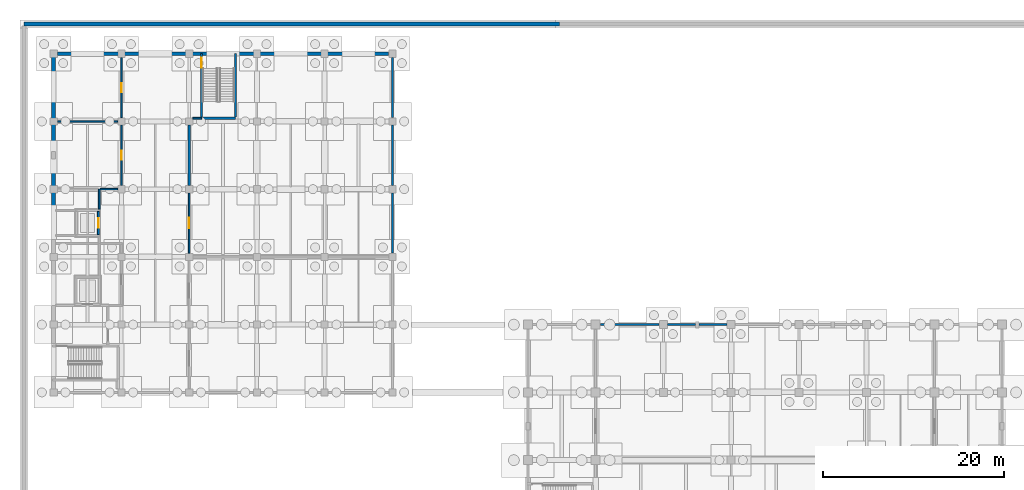
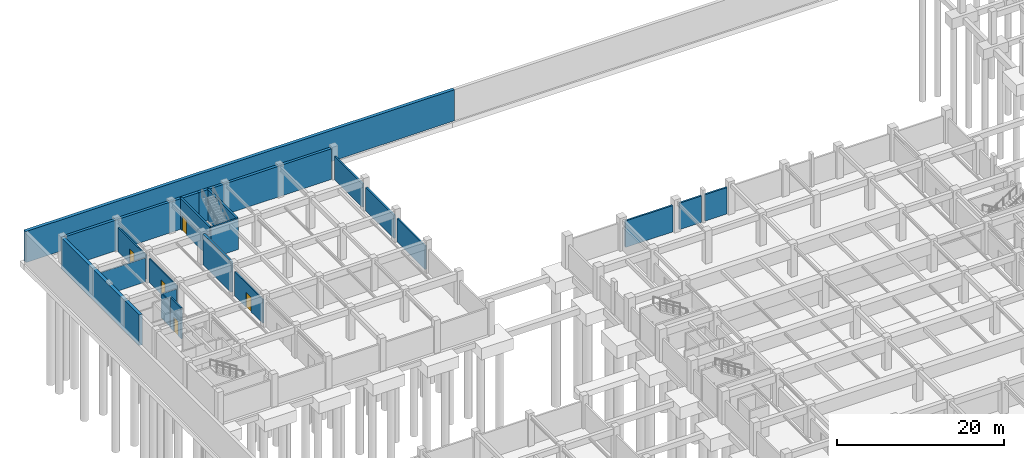
# One storey, part 26 of 38: 22 walls, 5 doors, 5 openings.
"""IFC4 building model written with IfcOpenShell, lengths in metres."""

from ifc_helpers import new_model, si_unit, direction, frame, frame_2d, origin, place, context, subcontext, project, spatial, rectangle, extrude, material, layer, layer_set, type_object, element, fill, save


model = new_model("IFC4")

# Units and contexts
model_context = context("Model", 3, precision=1e-05, world=origin(), true_north=direction((0.0, 1.0)))
body_context = subcontext(model_context, "Body", "Model", "MODEL_VIEW")
ifc_project = project(units=[si_unit("LENGTHUNIT", "METRE"), si_unit("AREAUNIT", "SQUARE_METRE"), si_unit("VOLUMEUNIT", "CUBIC_METRE"), si_unit("PLANEANGLEUNIT", "RADIAN"), si_unit("MASSUNIT", "GRAM", prefix="KILO")], contexts=[model_context])

# Site, building, storey
site_placement = place(None, origin())
site = spatial("IfcSite", under=ifc_project, at=site_placement, CompositionType="ELEMENT")
building_placement = place(site_placement, origin())
building = spatial("IfcBuilding", under=site, at=building_placement, Name="Qasida Concert Hall", CompositionType="ELEMENT")
storey_placement = place(building_placement, frame((0.0, 0.0, -4.800048828125)))
storey = spatial("IfcBuildingStorey", under=building, at=storey_placement, Name="B1", CompositionType="ELEMENT", Elevation=-4.800048828125)

# Wall, opening, door
ifc_material_1 = material(Name="Concrete C40/50", Category="concrete")
ifc_layer_1 = layer(ifc_material_1, 0.219970703125, Name="Concrete C40/50")
ifc_layer_set_1 = layer_set([ifc_layer_1], Name="Concrete C40/50")
wall_type_1 = type_object("IfcWallType", Name="WL-CW-220", PredefinedType="SOLIDWALL", material=ifc_layer_set_1)
wall_1_placement = place(storey_placement, frame((4.949951171875, 92.4599609375, 0.0), z_axis=(0.0, 0.0, 1.0), x_axis=(0.0, 1.0, 0.0)))
wall_1 = element("IfcWall", 1, at=wall_1_placement, inside=storey, type_object=wall_type_1, Name="B1 LF-07 lift shaft wall E", PredefinedType="SOLIDWALL", context=body_context, shape_type="SweptSolid", body=[
    extrude(rectangle(XDim=2.580078125, YDim=0.219970703125, at=frame_2d((1.2900390625, 0.0))), origin(), (0.0, 0.0, 1.0), 4.5),
])
opening_1_placement = place(wall_1_placement, frame((0.7900390625, 0.0, 0.0)))
opening_1 = element("IfcOpeningElement", 2, at=opening_1_placement, cuts=wall_1, Name="Opening LD-100", PredefinedType="OPENING", context=body_context, shape_type="SweptSolid", body=[
    extrude(rectangle(XDim=1.0, YDim=2.14990234375, at=frame_2d((0.5, 1.074951171875))), frame((0.0, 0.119873046875, 0.0), z_axis=(0.0, -1.0, 0.0), x_axis=(1.0, 0.0, 0.0)), (0.0, 0.0, 1.0), 0.239990234375),
])
ifc_material_2 = material(Name="Brushed bronze passenger lift landing door", Category="steel")
door_type_1 = type_object("IfcDoorType", Name="LD-100", OperationType="SLIDING_TO_LEFT", PredefinedType="DOOR", material=ifc_material_2)
door_1_placement = place(opening_1_placement, origin())
door_1 = element("IfcDoor", 3, at=door_1_placement, inside=storey, type_object=door_type_1, Name="Lift landing door LF-07 B1", OperationType="SLIDING_TO_LEFT", OverallHeight=2.14990234375, OverallWidth=1.0, PredefinedType="DOOR", context=body_context, shape_type="SweptSolid", body=[
    extrude(rectangle(XDim=1.0, YDim=2.14990234375, at=frame_2d((0.5, 1.074951171875))), frame((0.0, 0.02490234375, 0.0), z_axis=(0.0, -1.0, 0.0), x_axis=(1.0, 0.0, 0.0)), (0.0, 0.0, 1.0), 0.050048828125),
])
fill(opening_1, door_1)

# Wall
ifc_layer_2 = layer(ifc_material_1, 0.25, Name="Concrete C40/50")
ifc_layer_set_2 = layer_set([ifc_layer_2], Name="Concrete C40/50")
wall_type_2 = type_object("IfcWallType", Name="WL-CW-250", PredefinedType="SOLIDWALL", material=ifc_layer_set_2)
wall_2_placement = place(storey_placement, frame((16.3798828125, 105.35498046875, 0.0), z_axis=(0.0, 0.0, 1.0), x_axis=(1.0, 0.0, 0.0)))
element("IfcWall", 4, at=wall_2_placement, inside=storey, type_object=wall_type_2, Name="B1 ST-06 stairwell wall S", PredefinedType="SOLIDWALL", context=body_context, shape_type="SweptSolid", body=[
    extrude(rectangle(XDim=3.740234375, YDim=0.25, at=frame_2d((1.8701171875, 0.0))), origin(), (0.0, 0.0, 1.0), 4.5),
])

# Wall, opening, door
wall_3_placement = place(storey_placement, frame((16.375, 105.47998046875, 0.0), z_axis=(0.0, 0.0, 1.0), x_axis=(0.0, 1.0, 0.0)))
wall_3 = element("IfcWall", 5, at=wall_3_placement, inside=storey, type_object=wall_type_2, Name="B1 ST-06 stairwell wall W", PredefinedType="SOLIDWALL", context=body_context, shape_type="SweptSolid", body=[
    extrude(rectangle(XDim=7.02001953125, YDim=0.25, at=frame_2d((3.510009765625, 0.0))), origin(), (0.0, 0.0, 1.0), 4.5),
])
opening_2_placement = place(wall_3_placement, frame((5.469970703125, 0.0, 0.0)))
opening_2 = element("IfcOpeningElement", 6, at=opening_2_placement, cuts=wall_3, Name="Opening FD-110", PredefinedType="OPENING", context=body_context, shape_type="SweptSolid", body=[
    extrude(rectangle(XDim=1.10009765625, YDim=2.14990234375, at=frame_2d((0.550048828125, 1.074951171875))), frame((0.0, 0.135009765625, 0.0), z_axis=(0.0, -1.0, 0.0), x_axis=(1.0, 0.0, 0.0)), (0.0, 0.0, 1.0), 0.27001953125),
])
ifc_material_3 = material(Name="Steel fire-rated stair/lobby door set", Category="steel")
door_type_2 = type_object("IfcDoorType", Name="FD-110", OperationType="NOTDEFINED", PredefinedType="DOOR", material=ifc_material_3)
door_2_placement = place(opening_2_placement, origin())
door_2 = element("IfcDoor", 7, at=door_2_placement, inside=storey, type_object=door_type_2, Name="B1 ST-06 rated stair door", OperationType="SINGLE_SWING_RIGHT", OverallHeight=2.14990234375, OverallWidth=1.10009765625, PredefinedType="DOOR", context=body_context, shape_type="SweptSolid", body=[
    extrude(rectangle(XDim=1.10009765625, YDim=2.14990234375, at=frame_2d((0.550048828125, 1.074951171875))), frame((0.0, 0.02490234375, 0.0), z_axis=(0.0, -1.0, 0.0), x_axis=(1.0, 0.0, 0.0)), (0.0, 0.0, 1.0), 0.050048828125),
])
fill(opening_2, door_2)

# Walls
wall_4_placement = place(storey_placement, frame((20.125, 105.47998046875, 0.0), z_axis=(0.0, 0.0, 1.0), x_axis=(0.0, 1.0, 0.0)))
element("IfcWall", 8, at=wall_4_placement, inside=storey, type_object=wall_type_2, Name="B1 ST-06 stairwell wall E", PredefinedType="SOLIDWALL", context=body_context, shape_type="SweptSolid", body=[
    extrude(rectangle(XDim=7.02001953125, YDim=0.25, at=frame_2d((3.510009765625, 0.0))), origin(), (0.0, 0.0, 1.0), 4.5),
])
ifc_material_4 = material(Name="Acoustic metal-stud gypsum partition", Category="gypsum")
ifc_layer_3 = layer(ifc_material_4, 0.179931640625, Name="Acoustic metal-stud gypsum partition")
ifc_layer_set_3 = layer_set([ifc_layer_3], Name="Acoustic metal-stud gypsum partition")
wall_type_3 = type_object("IfcWallType", Name="WL-PW-180", PredefinedType="PARTITIONING", material=ifc_layer_set_3)
wall_5_placement = place(storey_placement, frame((5.050048828125, 95.27392578125, 0.0), z_axis=(0.0, 0.0, 1.0), x_axis=(0.0, 1.0, 0.0)))
element("IfcWall", 9, at=wall_5_placement, inside=storey, type_object=wall_type_3, Name="B1 partition PW-180 0236", PredefinedType="PARTITIONING", context=body_context, shape_type="SweptSolid", body=[
    extrude(rectangle(XDim=2.22607421875, YDim=0.179931640625, at=frame_2d((1.113037109375, 0.0))), origin(), (0.0, 0.0, 1.0), 3.570068359375),
])
wall_6_placement = place(storey_placement, frame((5.154052734375, 97.5, 0.0), z_axis=(0.0, 0.0, 1.0), x_axis=(1.0, 0.0, 0.0)))
element("IfcWall", 10, at=wall_6_placement, inside=storey, type_object=wall_type_3, Name="B1 partition PW-180 0238", PredefinedType="PARTITIONING", context=body_context, shape_type="SweptSolid", body=[
    extrude(rectangle(XDim=1.931884765625, YDim=0.179931640625, at=frame_2d((0.9658203125, 0.0))), origin(), (0.0, 0.0, 1.0), 3.52001953125),
])
wall_7_placement = place(storey_placement, frame((0.4140625, 105.0, 0.0), z_axis=(0.0, 0.0, 1.0), x_axis=(1.0, 0.0, 0.0)))
element("IfcWall", 11, at=wall_7_placement, inside=storey, type_object=wall_type_3, Name="B1 partition PW-180 0239", PredefinedType="PARTITIONING", context=body_context, shape_type="SweptSolid", body=[
    extrude(rectangle(XDim=6.671875, YDim=0.179931640625, at=frame_2d((3.3359375, 0.0))), origin(), (0.0, 0.0, 1.0), 3.52001953125),
])

# Wall, opening, door
wall_8_placement = place(storey_placement, frame((7.5, 97.9140625, 0.0), z_axis=(0.0, 0.0, 1.0), x_axis=(0.0, 1.0, 0.0)))
wall_8 = element("IfcWall", 12, at=wall_8_placement, inside=storey, type_object=wall_type_3, Name="B1 partition PW-180 0240", PredefinedType="PARTITIONING", context=body_context, shape_type="SweptSolid", body=[
    extrude(rectangle(XDim=6.671875, YDim=0.179931640625, at=frame_2d((3.3359375, 0.0))), origin(), (0.0, 0.0, 1.0), 3.52001953125),
])
opening_3_placement = place(wall_8_placement, frame((2.8359375, 0.0, 0.0)))
opening_3 = element("IfcOpeningElement", 13, at=opening_3_placement, cuts=wall_8, Name="Opening FD-100", PredefinedType="OPENING", context=body_context, shape_type="SweptSolid", body=[
    extrude(rectangle(XDim=1.0, YDim=2.1201171875, at=frame_2d((0.5, 1.06005859375))), frame((0.0, 0.099853515625, 0.0), z_axis=(0.0, -1.0, 0.0), x_axis=(1.0, 0.0, 0.0)), (0.0, 0.0, 1.0), 0.199951171875),
])
ifc_material_5 = material(Name="Timber-faced fire-rated corridor door", Category="wood")
door_type_3 = type_object("IfcDoorType", Name="FD-100", OperationType="NOTDEFINED", PredefinedType="DOOR", material=ifc_material_5)
door_3_placement = place(opening_3_placement, origin())
door_3 = element("IfcDoor", 14, at=door_3_placement, inside=storey, type_object=door_type_3, Name="B1 Clean-earth switchroom door", OperationType="SINGLE_SWING_LEFT", OverallHeight=2.1201171875, OverallWidth=1.0, PredefinedType="DOOR", context=body_context, shape_type="SweptSolid", body=[
    extrude(rectangle(XDim=1.0, YDim=2.1201171875, at=frame_2d((0.5, 1.06005859375))), frame((0.0, 0.02490234375, 0.0), z_axis=(0.0, -1.0, 0.0), x_axis=(1.0, 0.0, 0.0)), (0.0, 0.0, 1.0), 0.050048828125),
])
fill(opening_3, door_3)

wall_9_placement = place(storey_placement, frame((7.5, 105.4140625, 0.0), z_axis=(0.0, 0.0, 1.0), x_axis=(0.0, 1.0, 0.0)))
wall_9 = element("IfcWall", 15, at=wall_9_placement, inside=storey, type_object=wall_type_3, Name="B1 partition PW-180 0241", PredefinedType="PARTITIONING", context=body_context, shape_type="SweptSolid", body=[
    extrude(rectangle(XDim=6.671875, YDim=0.179931640625, at=frame_2d((3.3359375, 0.0))), origin(), (0.0, 0.0, 1.0), 3.52001953125),
])
opening_4_placement = place(wall_9_placement, frame((2.8359375, 0.0, 0.0)))
opening_4 = element("IfcOpeningElement", 16, at=opening_4_placement, cuts=wall_9, Name="Opening FD-100", PredefinedType="OPENING", context=body_context, shape_type="SweptSolid", body=[
    extrude(rectangle(XDim=1.0, YDim=2.1201171875, at=frame_2d((0.5, 1.06005859375))), frame((0.0, 0.099853515625, 0.0), z_axis=(0.0, -1.0, 0.0), x_axis=(1.0, 0.0, 0.0)), (0.0, 0.0, 1.0), 0.199951171875),
])
door_4_placement = place(opening_4_placement, origin())
door_4 = element("IfcDoor", 17, at=door_4_placement, inside=storey, type_object=door_type_3, Name="B1 Instrument case store door", OperationType="SINGLE_SWING_RIGHT", OverallHeight=2.1201171875, OverallWidth=1.0, PredefinedType="DOOR", context=body_context, shape_type="SweptSolid", body=[
    extrude(rectangle(XDim=1.0, YDim=2.1201171875, at=frame_2d((0.5, 1.06005859375))), frame((0.0, 0.02490234375, 0.0), z_axis=(0.0, -1.0, 0.0), x_axis=(1.0, 0.0, 0.0)), (0.0, 0.0, 1.0), 0.050048828125),
])
fill(opening_4, door_4)

# Wall
wall_10_placement = place(storey_placement, frame((15.4140625, 105.35009765625, 0.0), z_axis=(0.0, 0.0, 1.0), x_axis=(1.0, 0.0, 0.0)))
element("IfcWall", 18, at=wall_10_placement, inside=storey, type_object=wall_type_3, Name="B1 partition PW-180 0242", PredefinedType="PARTITIONING", context=body_context, shape_type="SweptSolid", body=[
    extrude(rectangle(XDim=0.9658203125, YDim=0.179931640625, at=frame_2d((0.48291015625, 0.0))), origin(), (0.0, 0.0, 1.0), 3.52001953125),
])

# Wall, opening, door
wall_11_placement = place(storey_placement, frame((15.0, 90.4140625, 0.0), z_axis=(0.0, 0.0, 1.0), x_axis=(0.0, 1.0, 0.0)))
wall_11 = element("IfcWall", 19, at=wall_11_placement, inside=storey, type_object=wall_type_3, Name="B1 partition PW-180 0248", PredefinedType="PARTITIONING", context=body_context, shape_type="SweptSolid", body=[
    extrude(rectangle(XDim=6.671875, YDim=0.179931640625, at=frame_2d((3.3359375, 0.0))), origin(), (0.0, 0.0, 1.0), 3.52001953125),
])
opening_5_placement = place(wall_11_placement, frame((2.736083984375, 0.0, 0.0)))
opening_5 = element("IfcOpeningElement", 20, at=opening_5_placement, cuts=wall_11, Name="Opening FD-120", PredefinedType="OPENING", context=body_context, shape_type="SweptSolid", body=[
    extrude(rectangle(XDim=1.199951171875, YDim=2.14990234375, at=frame_2d((0.60009765625, 1.074951171875))), frame((0.0, 0.099853515625, 0.0), z_axis=(0.0, -1.0, 0.0), x_axis=(1.0, 0.0, 0.0)), (0.0, 0.0, 1.0), 0.199951171875),
])
ifc_material_6 = material(Name="Steel fire-rated acoustic door set", Category="steel")
door_type_4 = type_object("IfcDoorType", Name="FD-120", OperationType="NOTDEFINED", PredefinedType="DOOR", material=ifc_material_6)
door_5_placement = place(opening_5_placement, origin())
door_5 = element("IfcDoor", 21, at=door_5_placement, inside=storey, type_object=door_type_4, Name="B1 Musicians locker vault door", OperationType="SINGLE_SWING_LEFT", OverallHeight=2.14990234375, OverallWidth=1.199951171875, PredefinedType="DOOR", context=body_context, shape_type="SweptSolid", body=[
    extrude(rectangle(XDim=1.199951171875, YDim=2.14990234375, at=frame_2d((0.60009765625, 1.074951171875))), frame((0.0, 0.02490234375, 0.0), z_axis=(0.0, -1.0, 0.0), x_axis=(1.0, 0.0, 0.0)), (0.0, 0.0, 1.0), 0.050048828125),
])
fill(opening_5, door_5)

# Walls
ifc_material_7 = material(Name="Double-stud acoustic gypsum and mineral wool", Category="gypsum")
ifc_layer_4 = layer(ifc_material_7, 0.239990234375, Name="Double-stud acoustic gypsum and mineral wool")
ifc_layer_set_4 = layer_set([ifc_layer_4], Name="Double-stud acoustic gypsum and mineral wool")
wall_type_4 = type_object("IfcWallType", Name="WL-PW-240", PredefinedType="PARTITIONING", material=ifc_layer_set_4)
for number, where, z_axis, x_axis, name in (
    (22, (37.5, 90.4140625, 0.0), (0.0, 0.0, 1.0), (0.0, 1.0, 0.0), "B1 partition PW-240 0020"),
    (23, (37.5, 97.9140625, 0.0), (0.0, 0.0, 1.0), (0.0, 1.0, 0.0), "B1 partition PW-240 0021"),
    (24, (37.5, 105.4140625, 0.0), (0.0, 0.0, 1.0), (0.0, 1.0, 0.0), "B1 partition PW-240 0022"),
):
    element("IfcWall", number, at=place(storey_placement, frame(where, z_axis=z_axis, x_axis=x_axis)), inside=storey, type_object=wall_type_4, Name=name, PredefinedType="PARTITIONING", context=body_context, shape_type="SweptSolid", body=[
        extrude(rectangle(XDim=6.671875, YDim=0.239990234375, at=frame_2d((3.3359375, 0.0))), origin(), (0.0, 0.0, 1.0), 3.420166015625),
    ])
wall_12_placement = place(storey_placement, frame((60.513916015625, 82.5, 0.0), z_axis=(0.0, 0.0, 1.0), x_axis=(1.0, 0.0, 0.0)))
element("IfcWall", 25, at=wall_12_placement, inside=storey, type_object=wall_type_4, Name="B1 partition PW-240 0031", PredefinedType="PARTITIONING", context=body_context, shape_type="SweptSolid", body=[
    extrude(rectangle(XDim=6.52197265625, YDim=0.239990234375, at=frame_2d((3.260986328125, 0.0))), origin(), (0.0, 0.0, 1.0), 3.8701171875),
])
for number, where, z_axis, x_axis, name in (
    (26, (67.964111328125, 82.5, 0.0), (0.0, 0.0, 1.0), (1.0, 0.0, 0.0), "B1 partition PW-240 0032"),
    (27, (71.464111328125, 82.5, 0.0), (0.0, 0.0, 1.0), (1.0, 0.0, 0.0), "B1 partition PW-240 0033"),
):
    element("IfcWall", number, at=place(storey_placement, frame(where, z_axis=z_axis, x_axis=x_axis)), inside=storey, type_object=wall_type_4, Name=name, PredefinedType="PARTITIONING", context=body_context, shape_type="SweptSolid", body=[
        extrude(rectangle(XDim=3.07177734375, YDim=0.239990234375, at=frame_2d((1.535888671875, 0.0))), origin(), (0.0, 0.0, 1.0), 3.8701171875),
    ])
ifc_layer_5 = layer(ifc_material_1, 0.3798828125, Name="Concrete C40/50")
ifc_layer_set_5 = layer_set([ifc_layer_5], Name="Concrete C40/50")
wall_type_5 = type_object("IfcWallType", Name="WL-RW-380", PredefinedType="USERDEFINED", material=ifc_layer_set_5)
wall_13_placement = place(storey_placement, frame((0.4150390625, 112.5, 0.0), z_axis=(0.0, 0.0, 1.0), x_axis=(1.0, 0.0, 0.0)))
element("IfcWall", 28, at=wall_13_placement, inside=storey, type_object=wall_type_5, Name="B1 retaining wall RW-380 007", ObjectType="RETAININGWALL", PredefinedType="USERDEFINED", context=body_context, shape_type="SweptSolid", body=[
    extrude(rectangle(XDim=18.3349609375, YDim=0.3798828125, at=frame_2d((9.16748046875, 0.0))), origin(), (0.0, 0.0, 1.0), 4.5),
])
wall_14_placement = place(storey_placement, frame((18.75, 112.5, 0.0), z_axis=(0.0, 0.0, 1.0), x_axis=(1.0, 0.0, 0.0)))
element("IfcWall", 29, at=wall_14_placement, inside=storey, type_object=wall_type_5, Name="B1 retaining wall RW-380 008", ObjectType="RETAININGWALL", PredefinedType="USERDEFINED", context=body_context, shape_type="SweptSolid", body=[
    extrude(rectangle(XDim=18.344970703125, YDim=0.3798828125, at=frame_2d((9.17236328125, 0.0))), origin(), (0.0, 0.0, 1.0), 4.5),
])
ifc_layer_6 = layer(ifc_material_1, 0.449951171875, Name="Concrete C40/50")
ifc_layer_set_6 = layer_set([ifc_layer_6], Name="Concrete C40/50")
wall_type_6 = type_object("IfcWallType", Name="WL-RW-450", PredefinedType="USERDEFINED", material=ifc_layer_set_6)
wall_15_placement = place(storey_placement, frame((0.0, 93.75, 0.0), z_axis=(0.0, 0.0, 1.0), x_axis=(0.0, 1.0, 0.0)))
element("IfcWall", 30, at=wall_15_placement, inside=storey, type_object=wall_type_6, Name="B1 retaining wall RW-450 004", ObjectType="RETAININGWALL", PredefinedType="USERDEFINED", context=body_context, shape_type="SweptSolid", body=[
    extrude(rectangle(XDim=18.75, YDim=0.449951171875, at=frame_2d((9.375, 0.0))), origin(), (0.0, 0.0, 1.0), 4.5),
])
wall_16_placement = place(storey_placement, frame((-3.27490234375, 115.77490234375, 0.0), z_axis=(0.0, 0.0, 1.0), x_axis=(1.0, 0.0, 0.0)))
element("IfcWall", 31, at=wall_16_placement, inside=storey, type_object=wall_type_6, Name="B1 civic plaza plinth retaining wall PLW-N1", ObjectType="RETAININGWALL", PredefinedType="USERDEFINED", context=body_context, shape_type="SweptSolid", body=[
    extrude(rectangle(XDim=59.27490234375, YDim=0.449951171875, at=frame_2d((29.637451171875, 0.0))), origin(), (0.0, 0.0, 1.0), 4.550048828125),
])
ifc_layer_7 = layer(ifc_material_1, 0.280029296875, Name="Concrete C40/50")
ifc_layer_set_7 = layer_set([ifc_layer_7], Name="Concrete C40/50")
wall_type_7 = type_object("IfcWallType", Name="WL-SW-280", PredefinedType="SHEAR", material=ifc_layer_set_7)
wall_17_placement = place(storey_placement, frame((15.0, 97.89990234375, 0.0), z_axis=(0.0, 0.0, 1.0), x_axis=(0.0, 1.0, 0.0)))
element("IfcWall", 32, at=wall_17_placement, inside=storey, type_object=wall_type_7, Name="B1 V5 conservatory shear wall 0007", PredefinedType="SHEAR", context=body_context, shape_type="SweptSolid", body=[
    extrude(rectangle(XDim=6.7001953125, YDim=0.280029296875, at=frame_2d((3.35009765625, 0.0))), origin(), (0.0, 0.0, 1.0), 4.5),
])

save(model, "model.ifc")
